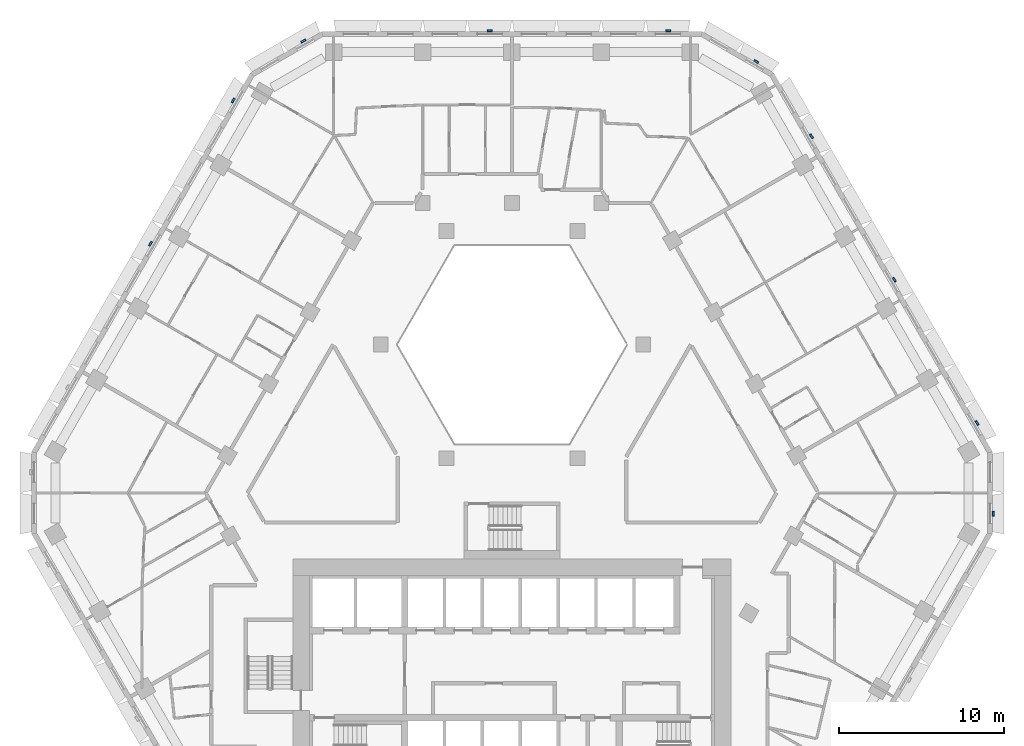
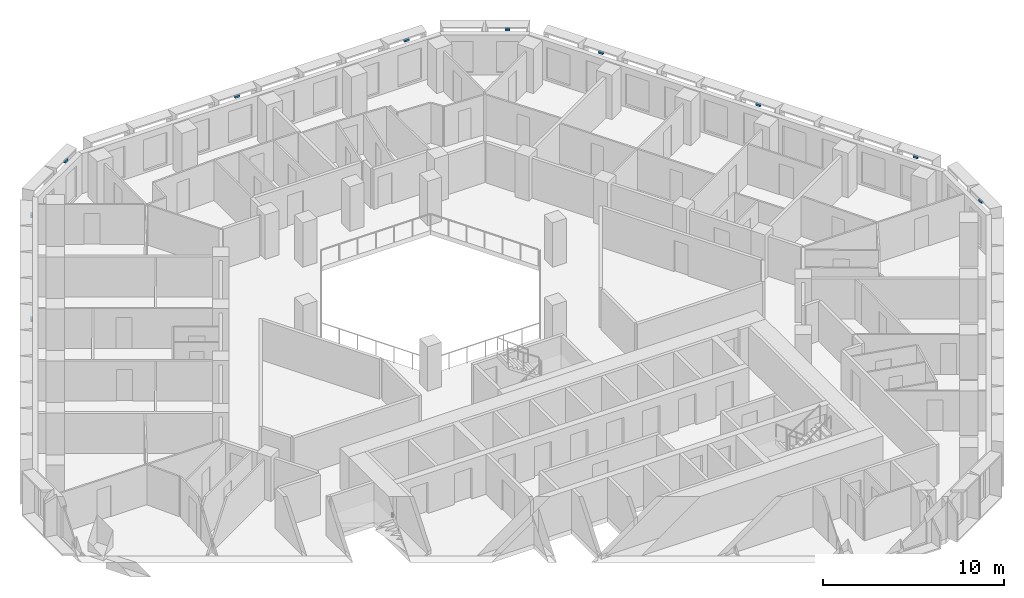
# One storey, part 12 of 18: 10 discrete accessories.
"""IFC4 building model written with IfcOpenShell, lengths in metres."""

from ifc_helpers import new_model, si_unit, direction, frame, origin, place, context, subcontext, project, spatial, polyline, outline, extrude, source, transform, mapped, material, type_object, type_shapes, element, save


model = new_model("IFC4")

# Units and contexts
model_context = context("Model", 3, precision=1e-05, world=origin(), true_north=direction((0.0, 1.0)))
body_context = subcontext(model_context, "Body", "Model", "MODEL_VIEW")
ifc_project = project(units=[si_unit("LENGTHUNIT", "METRE"), si_unit("AREAUNIT", "SQUARE_METRE"), si_unit("VOLUMEUNIT", "CUBIC_METRE"), si_unit("PLANEANGLEUNIT", "RADIAN"), si_unit("MASSUNIT", "GRAM", prefix="KILO")], contexts=[model_context])

# Site, building, storey
site_placement = place(None, origin())
site = spatial("IfcSite", under=ifc_project, at=site_placement, CompositionType="ELEMENT")
building_placement = place(site_placement, origin())
building = spatial("IfcBuilding", under=site, at=building_placement, Name="Beryl Residences", CompositionType="ELEMENT")
storey_placement = place(building_placement, frame((0.0, 0.0, 87.0)))
storey = spatial("IfcBuildingStorey", under=building, at=storey_placement, Name="L26", CompositionType="ELEMENT", Elevation=87.0)

# Discrete accessories
ifc_material = material(Name="Steel S355", Category="steel")
discrete_accessory_type = type_object("IfcDiscreteAccessoryType", Name="BR1 frame bracket 300 x 120 x 150 mm", PredefinedType="BRACKET", material=ifc_material)
shared_shape = source(origin(), body_context, "Body", "SweptSolid", [
    extrude(outline(polyline([(-0.14990234375, 0.0), (0.14990234375, 0.0), (0.14990234375, 0.1201171875), (-0.14990234375, 0.1201171875), (-0.14990234375, 0.0)])), origin(), (0.0, 0.0, 1.0), 0.14990234375),
])
type_shapes(discrete_accessory_type, [shared_shape])
for number, where, z_axis, x_axis, name in (
    (1, (9.471923828125, 27.0, 2.75), (0.0, 0.0, 1.0), (1.0, 0.0, 0.0), "BR1 bracket L26 N 1"),
    (2, (-1.35400390625, 27.0, 2.75), (0.0, 0.0, 1.0), (1.0, 0.0, 0.0), "BR1 bracket L26 N 5"),
    (3, (-12.6298828125, 26.375, 2.75), (0.0, 0.0, 1.0), (0.866025403784, 0.5, 0.0), "BR1 bracket L26 N-NW 1"),
    (4, (-16.865966796875, 22.7880859375, 2.75), (0.0, 0.0, 1.0), (0.5, 0.866025403784, 0.0), "BR1 bracket L26 NW 1"),
    (5, (-21.888916015625, 14.087890625, 2.75), (0.0, 0.0, 1.0), (0.5, 0.866025403784, 0.0), "BR1 bracket L26 NW 5"),
    (6, (29.156982421875, -2.25, 2.75), (0.0, 0.0, 1.0), (0.0, -1.0, 0.0), "BR1 bracket L26 SE-NE 1"),
    (7, (28.16796875, 3.2119140625, 2.75), (0.0, 0.0, 1.0), (0.5, -0.866025403784, 0.0), "BR1 bracket L26 NE 1"),
    (8, (23.14501953125, 11.912109375, 2.75), (0.0, 0.0, 1.0), (0.5, -0.866025403784, 0.0), "BR1 bracket L26 NE 5"),
    (9, (18.1220703125, 20.612060546875, 2.75), (0.0, 0.0, 1.0), (0.5, -0.866025403784, 0.0), "BR1 bracket L26 NE 9"),
    (10, (14.7939453125, 25.125, 2.75), (0.0, 0.0, 1.0), (0.866025403784, -0.5, 0.0), "BR1 bracket L26 NE-N 1"),
):
    element("IfcDiscreteAccessory", number, at=place(storey_placement, frame(where, z_axis=z_axis, x_axis=x_axis)), inside=storey, type_object=discrete_accessory_type, Name=name, PredefinedType="BRACKET", context=body_context, shape_type="MappedRepresentation", body=[
        mapped(shared_shape, transform((0.0, 0.0, 0.0))),
    ])

save(model, "model.ifc")
